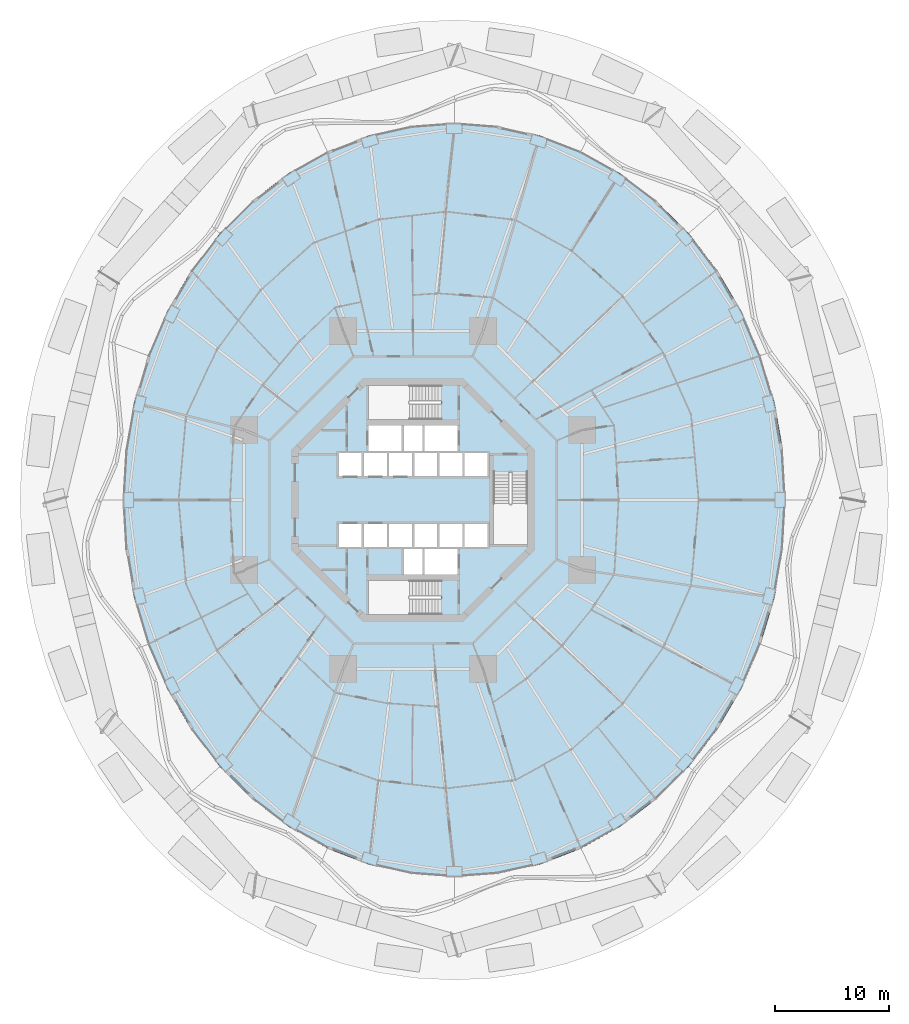
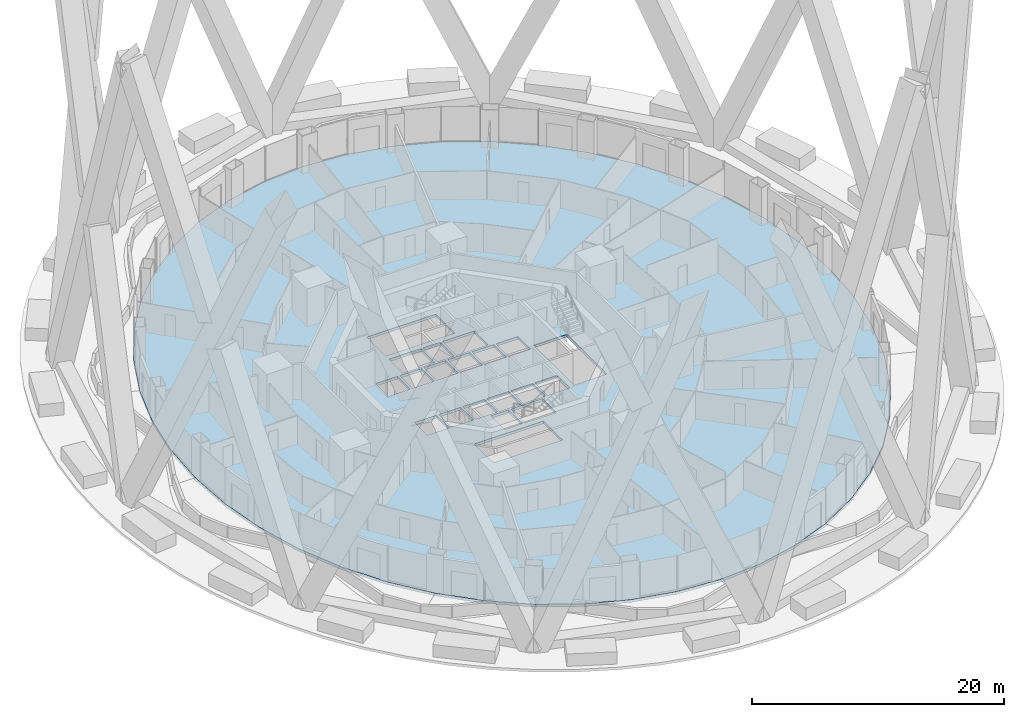
# One storey, part 31 of 42: 1 slab.
"""IFC4 building model written with IfcOpenShell, lengths in metres."""

from ifc_helpers import new_model, si_unit, direction, frame, origin, place, context, subcontext, project, spatial, polyline, outline, extrude, material, layer, layer_set, type_object, element, save


model = new_model("IFC4")

# Units and contexts
model_context = context("Model", 3, precision=1e-05, world=origin(), true_north=direction((0.0, 1.0)))
body_context = subcontext(model_context, "Body", "Model", "MODEL_VIEW")
ifc_project = project(units=[si_unit("LENGTHUNIT", "METRE"), si_unit("AREAUNIT", "SQUARE_METRE"), si_unit("VOLUMEUNIT", "CUBIC_METRE"), si_unit("PLANEANGLEUNIT", "RADIAN"), si_unit("MASSUNIT", "GRAM", prefix="KILO")], contexts=[model_context])

# Site, building, storey
site_placement = place(None, origin())
site = spatial("IfcSite", under=ifc_project, at=site_placement, CompositionType="ELEMENT")
building_placement = place(site_placement, origin())
building = spatial("IfcBuilding", under=site, at=building_placement, Name="Nagisa Residences", CompositionType="ELEMENT")
storey_placement = place(building_placement, frame((0.0, 0.0, 27.0)))
storey = spatial("IfcBuildingStorey", under=building, at=storey_placement, Name="L05", CompositionType="ELEMENT", Elevation=27.0)

# Slab
ifc_material = material(Name="Concrete C40", Category="concrete")
ifc_layer = layer(ifc_material, 0.260009765625)
ifc_layer_set = layer_set([ifc_layer], Name="Floor slab 260")
slab_type = type_object("IfcSlabType", Name="Floor slab 260", PredefinedType="FLOOR", material=ifc_layer_set)
slab_placement = place(storey_placement, frame((0.0, 0.0, -0.260009765625)))
element("IfcSlab", 1, at=slab_placement, inside=storey, type_object=slab_type, Name="slab:L05:floor", PredefinedType="FLOOR", context=body_context, shape_type="SweptSolid", body=[
    extrude(outline(polyline([(32.60009765625, 0.0), (32.351806640625, 4.307373046875), (31.61181640625, 8.541015625), (30.392578125, 12.628662109375), (28.71484375, 16.5), (26.607177734375, 20.089111328125), (24.106201171875, 23.33447265625), (21.254150390625, 26.1806640625), (18.10009765625, 28.578857421875), (14.69775390625, 30.488037109375), (11.105712890625, 31.87548828125), (7.38525390625, 32.7177734375), (3.60009765625, 33.0), (-0.185302734375, 32.7177734375), (-3.90576171875, 31.87548828125), (-7.497802734375, 30.488037109375), (-10.89990234375, 28.578857421875), (-14.05419921875, 26.1806640625), (-16.906005859375, 23.33447265625), (-19.4072265625, 20.089111328125), (-21.5146484375, 16.5), (-23.192626953125, 12.628662109375), (-24.411865234375, 8.541015625), (-25.15185546875, 4.307373046875), (-25.39990234375, 0.0), (-25.15185546875, -4.307373046875), (-24.411865234375, -8.541015625), (-23.192626953125, -12.628662109375), (-21.5146484375, -16.5), (-19.4072265625, -20.089111328125), (-16.906005859375, -23.33447265625), (-14.05419921875, -26.1806640625), (-10.89990234375, -28.578857421875), (-7.497802734375, -30.488037109375), (-3.90576171875, -31.87548828125), (-0.185302734375, -32.7177734375), (3.60009765625, -33.0), (7.38525390625, -32.7177734375), (11.105712890625, -31.87548828125), (14.69775390625, -30.488037109375), (18.10009765625, -28.578857421875), (21.254150390625, -26.1806640625), (24.106201171875, -23.33447265625), (26.607177734375, -20.089111328125), (28.71484375, -16.5), (30.392578125, -12.628662109375), (31.61181640625, -8.541015625), (32.351806640625, -4.307373046875), (32.60009765625, 0.0)]), holes=[polyline([(-4.5, 2.10009765625), (-4.5, 4.10009765625), (-6.5, 4.10009765625), (-6.5, 2.10009765625), (-4.5, 2.10009765625)]), polyline([(-2.300048828125, 2.10009765625), (-2.300048828125, 4.10009765625), (-4.300048828125, 4.10009765625), (-4.300048828125, 2.10009765625), (-2.300048828125, 2.10009765625)]), polyline([(-0.10009765625, 2.10009765625), (-0.10009765625, 4.10009765625), (-2.10009765625, 4.10009765625), (-2.10009765625, 2.10009765625), (-0.10009765625, 2.10009765625)]), polyline([(2.10009765625, 2.10009765625), (2.10009765625, 4.10009765625), (0.10009765625, 4.10009765625), (0.10009765625, 2.10009765625), (2.10009765625, 2.10009765625)]), polyline([(4.300048828125, 2.10009765625), (4.300048828125, 4.10009765625), (2.300048828125, 4.10009765625), (2.300048828125, 2.10009765625), (4.300048828125, 2.10009765625)]), polyline([(6.5, 2.10009765625), (6.5, 4.10009765625), (4.5, 4.10009765625), (4.5, 2.10009765625), (6.5, 2.10009765625)]), polyline([(-4.5, -4.10009765625), (-4.5, -2.10009765625), (-6.5, -2.10009765625), (-6.5, -4.10009765625), (-4.5, -4.10009765625)]), polyline([(-2.300048828125, -4.10009765625), (-2.300048828125, -2.10009765625), (-4.300048828125, -2.10009765625), (-4.300048828125, -4.10009765625), (-2.300048828125, -4.10009765625)]), polyline([(-0.10009765625, -4.10009765625), (-0.10009765625, -2.10009765625), (-2.10009765625, -2.10009765625), (-2.10009765625, -4.10009765625), (-0.10009765625, -4.10009765625)]), polyline([(2.10009765625, -4.10009765625), (2.10009765625, -2.10009765625), (0.10009765625, -2.10009765625), (0.10009765625, -4.10009765625), (2.10009765625, -4.10009765625)]), polyline([(4.300048828125, -4.10009765625), (4.300048828125, -2.10009765625), (2.300048828125, -2.10009765625), (2.300048828125, -4.10009765625), (4.300048828125, -4.10009765625)]), polyline([(6.5, -4.10009765625), (6.5, -2.10009765625), (4.5, -2.10009765625), (4.5, -4.10009765625), (6.5, -4.10009765625)]), polyline([(3.89990234375, 4.300048828125), (3.89990234375, 6.5), (1.0, 6.5), (1.0, 4.300048828125), (3.89990234375, 4.300048828125)]), polyline([(3.89990234375, -6.5), (3.89990234375, -4.300048828125), (1.0, -4.300048828125), (1.0, -6.5), (3.89990234375, -6.5)]), polyline([(-1.0, 4.300048828125), (-1.0, 6.5), (-3.89990234375, 6.5), (-3.89990234375, 4.300048828125), (-1.0, 4.300048828125)]), polyline([(0.800048828125, 4.300048828125), (0.800048828125, 6.5), (-0.800048828125, 6.5), (-0.800048828125, 4.300048828125), (0.800048828125, 4.300048828125)]), polyline([(0.800048828125, -6.5), (0.800048828125, -4.300048828125), (-0.800048828125, -4.300048828125), (-0.800048828125, -6.5), (0.800048828125, -6.5)]), polyline([(10.024658203125, -3.89990234375), (7.024658203125, -3.89990234375), (7.024658203125, 2.425048828125), (10.024658203125, 2.425048828125), (10.024658203125, -3.89990234375)]), polyline([(-3.89990234375, 7.024658203125), (-3.89990234375, 10.024658203125), (2.425048828125, 10.024658203125), (2.425048828125, 7.024658203125), (-3.89990234375, 7.024658203125)]), polyline([(-3.89990234375, -10.024658203125), (-3.89990234375, -7.024658203125), (2.425048828125, -7.024658203125), (2.425048828125, -10.024658203125), (-3.89990234375, -10.024658203125)])]), origin(), (0.0, 0.0, 1.0), 0.260009765625),
])

save(model, "model.ifc")
